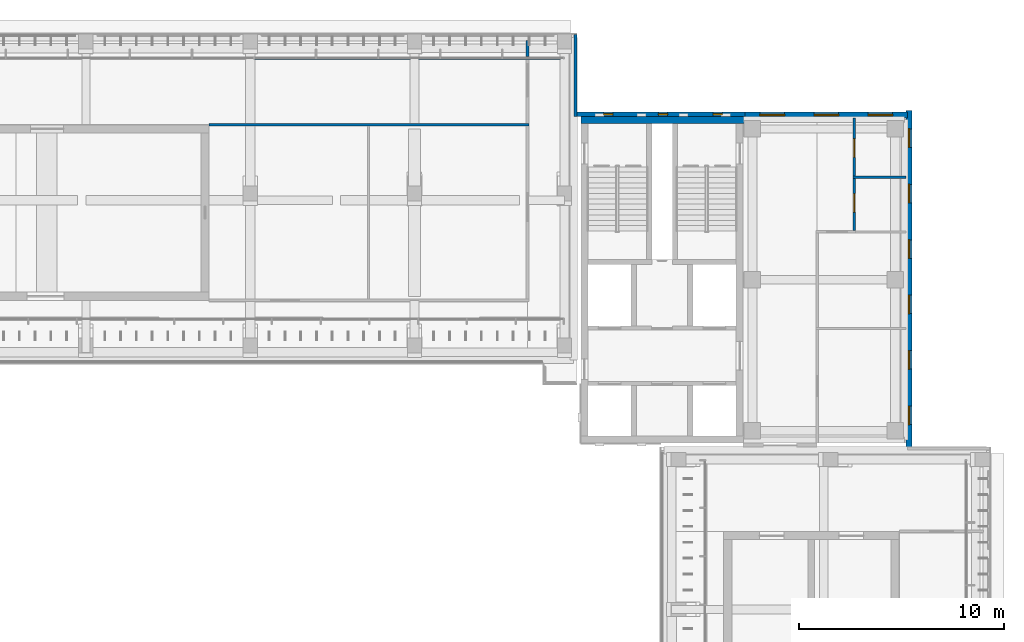
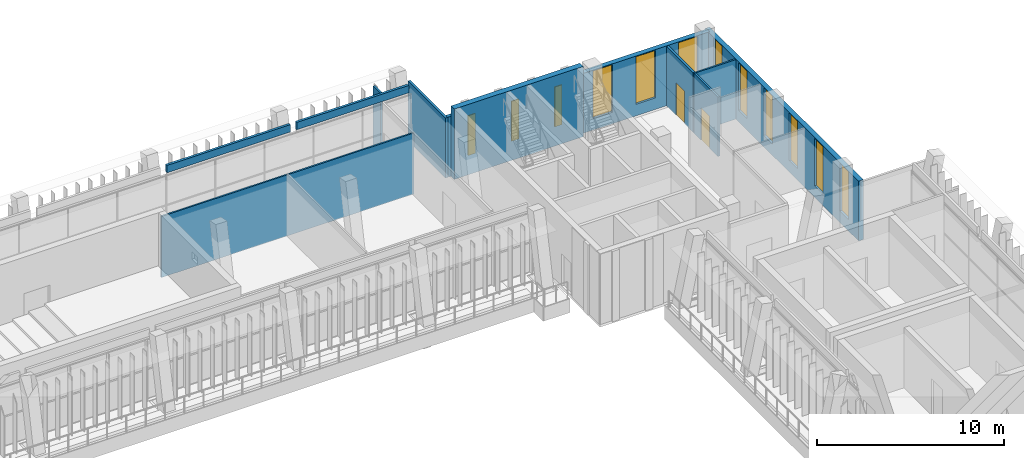
# One storey, part 51 of 74: 12 windows, 11 walls, 2 doors, 14 openings.
"""IFC4 building model written with IfcOpenShell, lengths in metres."""

from ifc_helpers import new_model, si_unit, direction, frame, frame_2d, origin, place, context, subcontext, project, spatial, rectangle, extrude, material, layer, layer_set, type_object, element, fill, save


model = new_model("IFC4")

# Units and contexts
model_context = context("Model", 3, precision=1e-05, world=origin(), true_north=direction((0.0, 1.0)))
body_context = subcontext(model_context, "Body", "Model", "MODEL_VIEW")
ifc_project = project(units=[si_unit("LENGTHUNIT", "METRE"), si_unit("AREAUNIT", "SQUARE_METRE"), si_unit("VOLUMEUNIT", "CUBIC_METRE"), si_unit("PLANEANGLEUNIT", "RADIAN"), si_unit("MASSUNIT", "GRAM", prefix="KILO")], contexts=[model_context])

# Site, building, storey
site_placement = place(None, origin())
site = spatial("IfcSite", under=ifc_project, at=site_placement, CompositionType="ELEMENT")
building_placement = place(site_placement, origin())
building = spatial("IfcBuilding", under=site, at=building_placement, Name="Lantern Court Media Centre", CompositionType="ELEMENT")
storey_placement = place(building_placement, frame((0.0, 0.0, 19.199951171875)))
storey = spatial("IfcBuildingStorey", under=building, at=storey_placement, Name="L04", CompositionType="ELEMENT", Elevation=19.199951171875)

# Wall
ifc_material_1 = material(Name="Gypsum board partition")
ifc_layer_1 = layer(ifc_material_1, 0.125)
ifc_layer_set_1 = layer_set([ifc_layer_1], Name="Gypsum board partition")
wall_type_1 = type_object("IfcWallType", Name="Corridor partition 125", PredefinedType="PARTITIONING", material=ifc_layer_set_1)
wall_1_placement = place(storey_placement, frame((77.5, 114.929931640625, 0.0), z_axis=(0.0, 0.0, 1.0), x_axis=(0.0, 1.0, 0.0)))
element("IfcWall", 1, at=wall_1_placement, inside=storey, type_object=wall_type_1, Name="L04 partition 004", PredefinedType="PARTITIONING", context=body_context, shape_type="SweptSolid", body=[
    extrude(rectangle(XDim=0.77001953125, YDim=0.125, at=frame_2d((0.385009765625, 0.0))), origin(), (0.0, 0.0, 1.0), 4.56005859375),
])

# Wall, openings, doors
wall_2_placement = place(storey_placement, frame((93.39990234375, 106.4482421875, 0.0), z_axis=(0.0, 0.0, 1.0), x_axis=(0.0, 1.0, 0.0)))
wall_2 = element("IfcWall", 2, at=wall_2_placement, inside=storey, type_object=wall_type_1, Name="L04 partition 054", PredefinedType="PARTITIONING", context=body_context, shape_type="SweptSolid", body=[
    extrude(rectangle(XDim=5.4716796875, YDim=0.125, at=frame_2d((2.73583984375, 0.0))), origin(), (0.0, 0.0, 1.0), 3.880126953125),
])
opening_1_placement = place(wall_2_placement, frame((3.55859375, 0.0, 0.0)))
opening_1 = element("IfcOpeningElement", 3, at=opening_1_placement, cuts=wall_2, Name="Opening L04-043", PredefinedType="OPENING", context=body_context, shape_type="SweptSolid", body=[
    extrude(rectangle(XDim=0.89990234375, YDim=2.10009765625, at=frame_2d((0.449951171875, 1.050048828125))), frame((0.0, 0.072509765625, 0.0), z_axis=(0.0, -1.0, 0.0), x_axis=(1.0, 0.0, 0.0)), (0.0, 0.0, 1.0), 0.14501953125),
])
opening_2_placement = place(wall_2_placement, frame((0.9013671875, 0.0, 0.0)))
opening_2 = element("IfcOpeningElement", 4, at=opening_2_placement, cuts=wall_2, Name="Opening L04-044", PredefinedType="OPENING", context=body_context, shape_type="SweptSolid", body=[
    extrude(rectangle(XDim=0.89990234375, YDim=2.10009765625, at=frame_2d((0.449951171875, 1.050048828125))), frame((0.0, 0.072509765625, 0.0), z_axis=(0.0, -1.0, 0.0), x_axis=(1.0, 0.0, 0.0)), (0.0, 0.0, 1.0), 0.14501953125),
])
ifc_material_2 = material(Name="Solid-core timber door leaf", Category="wood")
door_type = type_object("IfcDoorType", Name="Single door 900x2100", OperationType="NOTDEFINED", PredefinedType="DOOR", material=ifc_material_2)
door_1_placement = place(opening_1_placement, frame((0.89990234375, 0.0, 0.0), z_axis=(0.0, 0.0, 1.0), x_axis=(-1.0, 0.0, 0.0)))
door_1 = element("IfcDoor", 5, at=door_1_placement, inside=storey, type_object=door_type, Name="L04 WC Male door", OperationType="SINGLE_SWING_RIGHT", OverallHeight=2.10009765625, OverallWidth=0.89990234375, PredefinedType="DOOR", context=body_context, shape_type="SweptSolid", body=[
    extrude(rectangle(XDim=0.89990234375, YDim=2.10009765625, at=frame_2d((0.449951171875, 1.050048828125))), frame((0.0, 0.02490234375, 0.0), z_axis=(0.0, -1.0, 0.0), x_axis=(1.0, 0.0, 0.0)), (0.0, 0.0, 1.0), 0.050048828125),
])
fill(opening_1, door_1)
door_2_placement = place(opening_2_placement, frame((0.89990234375, 0.0, 0.0), z_axis=(0.0, 0.0, 1.0), x_axis=(-1.0, 0.0, 0.0)))
door_2 = element("IfcDoor", 6, at=door_2_placement, inside=storey, type_object=door_type, Name="L04 WC Female door", OperationType="SINGLE_SWING_LEFT", OverallHeight=2.10009765625, OverallWidth=0.89990234375, PredefinedType="DOOR", context=body_context, shape_type="SweptSolid", body=[
    extrude(rectangle(XDim=0.89990234375, YDim=2.10009765625, at=frame_2d((0.449951171875, 1.050048828125))), frame((0.0, 0.02490234375, 0.0), z_axis=(0.0, -1.0, 0.0), x_axis=(1.0, 0.0, 0.0)), (0.0, 0.0, 1.0), 0.050048828125),
])
fill(opening_2, door_2)

# Walls
ifc_material_3 = material(Name="Insulated rendered blockwork", Category="masonry")
ifc_layer_2 = layer(ifc_material_3, 0.14990234375)
ifc_layer_set_2 = layer_set([ifc_layer_2], Name="Insulated rendered blockwork")
wall_type_2 = type_object("IfcWallType", Name="Head infill wall 150", PredefinedType="SOLIDWALL", material=ifc_layer_set_2)
wall_3_placement = place(storey_placement, frame((64.199951171875, 114.85009765625, 4.10009765625), z_axis=(0.0, 0.0, 1.0), x_axis=(1.0, 0.0, 0.0)))
element("IfcWall", 7, at=wall_3_placement, inside=storey, type_object=wall_type_2, Name="Head infill wall N outer L04", PredefinedType="SOLIDWALL", context=body_context, shape_type="SweptSolid", body=[
    extrude(rectangle(XDim=7.60009765625, YDim=0.14990234375, at=frame_2d((3.800048828125, 0.0))), origin(), (0.0, 0.0, 1.0), 0.47998046875),
])
wall_4_placement = place(storey_placement, frame((72.199951171875, 114.85009765625, 4.10009765625), z_axis=(0.0, 0.0, 1.0), x_axis=(1.0, 0.0, 0.0)))
element("IfcWall", 8, at=wall_4_placement, inside=storey, type_object=wall_type_2, Name="Head infill wall N outer L04", PredefinedType="SOLIDWALL", context=body_context, shape_type="SweptSolid", body=[
    extrude(rectangle(XDim=6.900146484375, YDim=0.14990234375, at=frame_2d((3.4501953125, 0.0))), origin(), (0.0, 0.0, 1.0), 0.47998046875),
])

# Wall, openings, windows
ifc_material_4 = material(Name="Honed limestone cladding on blockwork", Category="masonry")
ifc_layer_3 = layer(ifc_material_4, 0.300048828125)
ifc_layer_set_3 = layer_set([ifc_layer_3], Name="Honed limestone cladding on blockwork")
wall_type_3 = type_object("IfcWallType", Name="Limestone block wall 300", PredefinedType="SOLIDWALL", material=ifc_layer_set_3)
wall_5_placement = place(storey_placement, frame((96.070068359375, 95.89990234375, 0.0), z_axis=(0.0, 0.0, 1.0), x_axis=(0.0, 1.0, 0.0)))
wall_5 = element("IfcWall", 9, at=wall_5_placement, inside=storey, type_object=wall_type_3, Name="Limestone wall NE E L04", PredefinedType="SOLIDWALL", context=body_context, shape_type="SweptSolid", body=[
    extrude(rectangle(XDim=16.400146484375, YDim=0.300048828125, at=frame_2d((8.2001953125, 0.0))), origin(), (0.0, 0.0, 1.0), 3.900146484375),
])
opening_3_placement = place(wall_5_placement, frame((1.10009765625, 0.0, 0.75)))
opening_3 = element("IfcOpeningElement", 10, at=opening_3_placement, cuts=wall_5, Name="Opening WN-N", PredefinedType="OPENING", context=body_context, shape_type="SweptSolid", body=[
    extrude(rectangle(XDim=0.89990234375, YDim=3.10009765625, at=frame_2d((0.449951171875, 1.550048828125))), frame((0.0, 0.159912109375, 0.0), z_axis=(0.0, -1.0, 0.0), x_axis=(1.0, 0.0, 0.0)), (0.0, 0.0, 1.0), 0.320068359375),
])
opening_4_placement = place(wall_5_placement, frame((3.800048828125, 0.0, 0.75)))
opening_4 = element("IfcOpeningElement", 11, at=opening_4_placement, cuts=wall_5, Name="Opening WN-N", PredefinedType="OPENING", context=body_context, shape_type="SweptSolid", body=[
    extrude(rectangle(XDim=0.89990234375, YDim=3.10009765625, at=frame_2d((0.449951171875, 1.550048828125))), frame((0.0, 0.159912109375, 0.0), z_axis=(0.0, -1.0, 0.0), x_axis=(1.0, 0.0, 0.0)), (0.0, 0.0, 1.0), 0.320068359375),
])
opening_5_placement = place(wall_5_placement, frame((6.5, 0.0, 0.75)))
opening_5 = element("IfcOpeningElement", 12, at=opening_5_placement, cuts=wall_5, Name="Opening WN-N", PredefinedType="OPENING", context=body_context, shape_type="SweptSolid", body=[
    extrude(rectangle(XDim=0.89990234375, YDim=3.10009765625, at=frame_2d((0.449951171875, 1.550048828125))), frame((0.0, 0.159912109375, 0.0), z_axis=(0.0, -1.0, 0.0), x_axis=(1.0, 0.0, 0.0)), (0.0, 0.0, 1.0), 0.320068359375),
])
opening_6_placement = place(wall_5_placement, frame((9.199951171875, 0.0, 0.75)))
opening_6 = element("IfcOpeningElement", 13, at=opening_6_placement, cuts=wall_5, Name="Opening WN-N", PredefinedType="OPENING", context=body_context, shape_type="SweptSolid", body=[
    extrude(rectangle(XDim=0.89990234375, YDim=3.10009765625, at=frame_2d((0.449951171875, 1.550048828125))), frame((0.0, 0.159912109375, 0.0), z_axis=(0.0, -1.0, 0.0), x_axis=(1.0, 0.0, 0.0)), (0.0, 0.0, 1.0), 0.320068359375),
])
opening_7_placement = place(wall_5_placement, frame((11.89990234375, 0.0, 0.75)))
opening_7 = element("IfcOpeningElement", 14, at=opening_7_placement, cuts=wall_5, Name="Opening WN-N", PredefinedType="OPENING", context=body_context, shape_type="SweptSolid", body=[
    extrude(rectangle(XDim=0.89990234375, YDim=3.10009765625, at=frame_2d((0.449951171875, 1.550048828125))), frame((0.0, 0.159912109375, 0.0), z_axis=(0.0, -1.0, 0.0), x_axis=(1.0, 0.0, 0.0)), (0.0, 0.0, 1.0), 0.320068359375),
])
opening_8_placement = place(wall_5_placement, frame((14.60009765625, 0.0, 0.75)))
opening_8 = element("IfcOpeningElement", 15, at=opening_8_placement, cuts=wall_5, Name="Opening WN-N", PredefinedType="OPENING", context=body_context, shape_type="SweptSolid", body=[
    extrude(rectangle(XDim=0.89990234375, YDim=3.10009765625, at=frame_2d((0.449951171875, 1.550048828125))), frame((0.0, 0.159912109375, 0.0), z_axis=(0.0, -1.0, 0.0), x_axis=(1.0, 0.0, 0.0)), (0.0, 0.0, 1.0), 0.320068359375),
])
ifc_material_5 = material(Name="Anodised aluminium and glass", Category="aluminium")
window_type_1 = type_object("IfcWindowType", Name="Pier window 900x3100", PartitioningType="SINGLE_PANEL", PredefinedType="WINDOW", material=ifc_material_5)
window_1_placement = place(opening_3_placement, origin())
window_1 = element("IfcWindow", 16, at=window_1_placement, inside=storey, type_object=window_type_1, Name="Window NE E L04", OverallHeight=3.10009765625, OverallWidth=0.89990234375, PartitioningType="SINGLE_PANEL", PredefinedType="WINDOW", context=body_context, shape_type="SweptSolid", body=[
    extrude(rectangle(XDim=0.89990234375, YDim=3.10009765625, at=frame_2d((0.449951171875, 1.550048828125))), frame((0.0, 0.030029296875, 0.0), z_axis=(0.0, -1.0, 0.0), x_axis=(1.0, 0.0, 0.0)), (0.0, 0.0, 1.0), 0.06005859375),
])
fill(opening_3, window_1)
window_2_placement = place(opening_4_placement, origin())
window_2 = element("IfcWindow", 17, at=window_2_placement, inside=storey, type_object=window_type_1, Name="Window NE E L04", OverallHeight=3.10009765625, OverallWidth=0.89990234375, PartitioningType="SINGLE_PANEL", PredefinedType="WINDOW", context=body_context, shape_type="SweptSolid", body=[
    extrude(rectangle(XDim=0.89990234375, YDim=3.10009765625, at=frame_2d((0.449951171875, 1.550048828125))), frame((0.0, 0.030029296875, 0.0), z_axis=(0.0, -1.0, 0.0), x_axis=(1.0, 0.0, 0.0)), (0.0, 0.0, 1.0), 0.06005859375),
])
fill(opening_4, window_2)
window_3_placement = place(opening_5_placement, origin())
window_3 = element("IfcWindow", 18, at=window_3_placement, inside=storey, type_object=window_type_1, Name="Window NE E L04", OverallHeight=3.10009765625, OverallWidth=0.89990234375, PartitioningType="SINGLE_PANEL", PredefinedType="WINDOW", context=body_context, shape_type="SweptSolid", body=[
    extrude(rectangle(XDim=0.89990234375, YDim=3.10009765625, at=frame_2d((0.449951171875, 1.550048828125))), frame((0.0, 0.030029296875, 0.0), z_axis=(0.0, -1.0, 0.0), x_axis=(1.0, 0.0, 0.0)), (0.0, 0.0, 1.0), 0.06005859375),
])
fill(opening_5, window_3)
window_4_placement = place(opening_6_placement, origin())
window_4 = element("IfcWindow", 19, at=window_4_placement, inside=storey, type_object=window_type_1, Name="Window NE E L04", OverallHeight=3.10009765625, OverallWidth=0.89990234375, PartitioningType="SINGLE_PANEL", PredefinedType="WINDOW", context=body_context, shape_type="SweptSolid", body=[
    extrude(rectangle(XDim=0.89990234375, YDim=3.10009765625, at=frame_2d((0.449951171875, 1.550048828125))), frame((0.0, 0.030029296875, 0.0), z_axis=(0.0, -1.0, 0.0), x_axis=(1.0, 0.0, 0.0)), (0.0, 0.0, 1.0), 0.06005859375),
])
fill(opening_6, window_4)
window_5_placement = place(opening_7_placement, origin())
window_5 = element("IfcWindow", 20, at=window_5_placement, inside=storey, type_object=window_type_1, Name="Window NE E L04", OverallHeight=3.10009765625, OverallWidth=0.89990234375, PartitioningType="SINGLE_PANEL", PredefinedType="WINDOW", context=body_context, shape_type="SweptSolid", body=[
    extrude(rectangle(XDim=0.89990234375, YDim=3.10009765625, at=frame_2d((0.449951171875, 1.550048828125))), frame((0.0, 0.030029296875, 0.0), z_axis=(0.0, -1.0, 0.0), x_axis=(1.0, 0.0, 0.0)), (0.0, 0.0, 1.0), 0.06005859375),
])
fill(opening_7, window_5)
window_6_placement = place(opening_8_placement, origin())
window_6 = element("IfcWindow", 21, at=window_6_placement, inside=storey, type_object=window_type_1, Name="Window NE E L04", OverallHeight=3.10009765625, OverallWidth=0.89990234375, PartitioningType="SINGLE_PANEL", PredefinedType="WINDOW", context=body_context, shape_type="SweptSolid", body=[
    extrude(rectangle(XDim=0.89990234375, YDim=3.10009765625, at=frame_2d((0.449951171875, 1.550048828125))), frame((0.0, 0.030029296875, 0.0), z_axis=(0.0, -1.0, 0.0), x_axis=(1.0, 0.0, 0.0)), (0.0, 0.0, 1.0), 0.06005859375),
])
fill(opening_8, window_6)

wall_6_placement = place(storey_placement, frame((88.10009765625, 112.070068359375, 0.0), z_axis=(0.0, 0.0, 1.0), x_axis=(1.0, 0.0, 0.0)))
wall_6 = element("IfcWall", 22, at=wall_6_placement, inside=storey, type_object=wall_type_3, Name="Limestone wall NE N L04", PredefinedType="SOLIDWALL", context=body_context, shape_type="SweptSolid", body=[
    extrude(rectangle(XDim=7.89990234375, YDim=0.300048828125, at=frame_2d((3.949951171875, 0.0))), origin(), (0.0, 0.0, 1.0), 3.900146484375),
])
opening_9_placement = place(wall_6_placement, frame((0.716552734375, 0.0, 0.75)))
opening_9 = element("IfcOpeningElement", 23, at=opening_9_placement, cuts=wall_6, Name="Opening WN-T", PredefinedType="OPENING", context=body_context, shape_type="SweptSolid", body=[
    extrude(rectangle(XDim=1.199951171875, YDim=3.10009765625, at=frame_2d((0.60009765625, 1.550048828125))), frame((0.0, 0.159912109375, 0.0), z_axis=(0.0, -1.0, 0.0), x_axis=(1.0, 0.0, 0.0)), (0.0, 0.0, 1.0), 0.320068359375),
])
opening_10_placement = place(wall_6_placement, frame((3.35009765625, 0.0, 0.75)))
opening_10 = element("IfcOpeningElement", 24, at=opening_10_placement, cuts=wall_6, Name="Opening WN-T", PredefinedType="OPENING", context=body_context, shape_type="SweptSolid", body=[
    extrude(rectangle(XDim=1.199951171875, YDim=3.10009765625, at=frame_2d((0.60009765625, 1.550048828125))), frame((0.0, 0.159912109375, 0.0), z_axis=(0.0, -1.0, 0.0), x_axis=(1.0, 0.0, 0.0)), (0.0, 0.0, 1.0), 0.320068359375),
])
opening_11_placement = place(wall_6_placement, frame((5.9833984375, 0.0, 0.75)))
opening_11 = element("IfcOpeningElement", 25, at=opening_11_placement, cuts=wall_6, Name="Opening WN-T", PredefinedType="OPENING", context=body_context, shape_type="SweptSolid", body=[
    extrude(rectangle(XDim=1.199951171875, YDim=3.10009765625, at=frame_2d((0.60009765625, 1.550048828125))), frame((0.0, 0.159912109375, 0.0), z_axis=(0.0, -1.0, 0.0), x_axis=(1.0, 0.0, 0.0)), (0.0, 0.0, 1.0), 0.320068359375),
])
window_type_2 = type_object("IfcWindowType", Name="Tall window 1200x3100", PartitioningType="SINGLE_PANEL", PredefinedType="WINDOW", material=ifc_material_5)
window_7_placement = place(opening_9_placement, origin())
window_7 = element("IfcWindow", 26, at=window_7_placement, inside=storey, type_object=window_type_2, Name="Window NE N L04", OverallHeight=3.10009765625, OverallWidth=1.199951171875, PartitioningType="SINGLE_PANEL", PredefinedType="WINDOW", context=body_context, shape_type="SweptSolid", body=[
    extrude(rectangle(XDim=1.199951171875, YDim=3.10009765625, at=frame_2d((0.60009765625, 1.550048828125))), frame((0.0, 0.030029296875, 0.0), z_axis=(0.0, -1.0, 0.0), x_axis=(1.0, 0.0, 0.0)), (0.0, 0.0, 1.0), 0.06005859375),
])
fill(opening_9, window_7)
window_8_placement = place(opening_10_placement, origin())
window_8 = element("IfcWindow", 27, at=window_8_placement, inside=storey, type_object=window_type_2, Name="Window NE N L04", OverallHeight=3.10009765625, OverallWidth=1.199951171875, PartitioningType="SINGLE_PANEL", PredefinedType="WINDOW", context=body_context, shape_type="SweptSolid", body=[
    extrude(rectangle(XDim=1.199951171875, YDim=3.10009765625, at=frame_2d((0.60009765625, 1.550048828125))), frame((0.0, 0.030029296875, 0.0), z_axis=(0.0, -1.0, 0.0), x_axis=(1.0, 0.0, 0.0)), (0.0, 0.0, 1.0), 0.06005859375),
])
fill(opening_10, window_8)
window_9_placement = place(opening_11_placement, origin())
window_9 = element("IfcWindow", 28, at=window_9_placement, inside=storey, type_object=window_type_2, Name="Window NE N L04", OverallHeight=3.10009765625, OverallWidth=1.199951171875, PartitioningType="SINGLE_PANEL", PredefinedType="WINDOW", context=body_context, shape_type="SweptSolid", body=[
    extrude(rectangle(XDim=1.199951171875, YDim=3.10009765625, at=frame_2d((0.60009765625, 1.550048828125))), frame((0.0, 0.030029296875, 0.0), z_axis=(0.0, -1.0, 0.0), x_axis=(1.0, 0.0, 0.0)), (0.0, 0.0, 1.0), 0.06005859375),
])
fill(opening_11, window_9)

# Wall
ifc_layer_4 = layer(ifc_material_4, 0.139892578125)
ifc_layer_set_4 = layer_set([ifc_layer_4], Name="Honed limestone cladding on blockwork")
wall_type_4 = type_object("IfcWallType", Name="Limestone closure wall 140", PredefinedType="SOLIDWALL", material=ifc_layer_set_4)
wall_7_placement = place(storey_placement, frame((79.830078125, 112.0, 0.0), z_axis=(0.0, 0.0, 1.0), x_axis=(0.0, 1.0, 0.0)))
element("IfcWall", 29, at=wall_7_placement, inside=storey, type_object=wall_type_4, Name="Limestone closure wall N-NE L04", PredefinedType="SOLIDWALL", context=body_context, shape_type="SweptSolid", body=[
    extrude(rectangle(XDim=4.0, YDim=0.139892578125, at=frame_2d((2.0, 0.0))), origin(), (0.0, 0.0, 1.0), 3.900146484375),
])

# Wall, openings, windows
ifc_material_6 = material(Name="Honed limestone cladding on blockwork, reduced to 220 where it passes the core wall", Category="masonry")
ifc_layer_5 = layer(ifc_material_6, 0.219970703125)
ifc_layer_set_5 = layer_set([ifc_layer_5], Name="Honed limestone cladding on blockwork, reduced to 220 where it passes the core wall")
wall_type_5 = type_object("IfcWallType", Name="Limestone skin wall 220", PredefinedType="SOLIDWALL", material=ifc_layer_set_5)
wall_8_placement = place(storey_placement, frame((79.89990234375, 112.110107421875, 0.0), z_axis=(0.0, 0.0, 1.0), x_axis=(1.0, 0.0, 0.0)))
wall_8 = element("IfcWall", 30, at=wall_8_placement, inside=storey, type_object=wall_type_5, Name="Limestone wall NE N L04", PredefinedType="SOLIDWALL", context=body_context, shape_type="SweptSolid", body=[
    extrude(rectangle(XDim=8.2001953125, YDim=0.219970703125, at=frame_2d((4.10009765625, 0.0))), origin(), (0.0, 0.0, 1.0), 3.900146484375),
])
opening_12_placement = place(wall_8_placement, frame((1.308349609375, 0.0, 0.89990234375)))
opening_12 = element("IfcOpeningElement", 31, at=opening_12_placement, cuts=wall_8, Name="Opening WN-S", PredefinedType="OPENING", context=body_context, shape_type="SweptSolid", body=[
    extrude(rectangle(XDim=0.449951171875, YDim=2.60009765625, at=frame_2d((0.22509765625, 1.300048828125))), frame((0.0, 0.119873046875, 0.0), z_axis=(0.0, -1.0, 0.0), x_axis=(1.0, 0.0, 0.0)), (0.0, 0.0, 1.0), 0.239990234375),
])
opening_13_placement = place(wall_8_placement, frame((3.97509765625, 0.0, 0.89990234375)))
opening_13 = element("IfcOpeningElement", 32, at=opening_13_placement, cuts=wall_8, Name="Opening WN-S", PredefinedType="OPENING", context=body_context, shape_type="SweptSolid", body=[
    extrude(rectangle(XDim=0.449951171875, YDim=2.60009765625, at=frame_2d((0.22509765625, 1.300048828125))), frame((0.0, 0.119873046875, 0.0), z_axis=(0.0, -1.0, 0.0), x_axis=(1.0, 0.0, 0.0)), (0.0, 0.0, 1.0), 0.239990234375),
])
opening_14_placement = place(wall_8_placement, frame((6.6416015625, 0.0, 0.89990234375)))
opening_14 = element("IfcOpeningElement", 33, at=opening_14_placement, cuts=wall_8, Name="Opening WN-S", PredefinedType="OPENING", context=body_context, shape_type="SweptSolid", body=[
    extrude(rectangle(XDim=0.449951171875, YDim=2.60009765625, at=frame_2d((0.22509765625, 1.300048828125))), frame((0.0, 0.119873046875, 0.0), z_axis=(0.0, -1.0, 0.0), x_axis=(1.0, 0.0, 0.0)), (0.0, 0.0, 1.0), 0.239990234375),
])
window_type_3 = type_object("IfcWindowType", Name="Stair slit window 450x2600", PartitioningType="SINGLE_PANEL", PredefinedType="WINDOW", material=ifc_material_5)
window_10_placement = place(opening_12_placement, origin())
window_10 = element("IfcWindow", 34, at=window_10_placement, inside=storey, type_object=window_type_3, Name="Window NE N L04", OverallHeight=2.60009765625, OverallWidth=0.449951171875, PartitioningType="SINGLE_PANEL", PredefinedType="WINDOW", context=body_context, shape_type="SweptSolid", body=[
    extrude(rectangle(XDim=0.449951171875, YDim=2.60009765625, at=frame_2d((0.22509765625, 1.300048828125))), frame((0.0, 0.030029296875, 0.0), z_axis=(0.0, -1.0, 0.0), x_axis=(1.0, 0.0, 0.0)), (0.0, 0.0, 1.0), 0.06005859375),
])
fill(opening_12, window_10)
window_11_placement = place(opening_13_placement, origin())
window_11 = element("IfcWindow", 35, at=window_11_placement, inside=storey, type_object=window_type_3, Name="Window NE N L04", OverallHeight=2.60009765625, OverallWidth=0.449951171875, PartitioningType="SINGLE_PANEL", PredefinedType="WINDOW", context=body_context, shape_type="SweptSolid", body=[
    extrude(rectangle(XDim=0.449951171875, YDim=2.60009765625, at=frame_2d((0.22509765625, 1.300048828125))), frame((0.0, 0.030029296875, 0.0), z_axis=(0.0, -1.0, 0.0), x_axis=(1.0, 0.0, 0.0)), (0.0, 0.0, 1.0), 0.06005859375),
])
fill(opening_13, window_11)
window_12_placement = place(opening_14_placement, origin())
window_12 = element("IfcWindow", 36, at=window_12_placement, inside=storey, type_object=window_type_3, Name="Window NE N L04", OverallHeight=2.60009765625, OverallWidth=0.449951171875, PartitioningType="SINGLE_PANEL", PredefinedType="WINDOW", context=body_context, shape_type="SweptSolid", body=[
    extrude(rectangle(XDim=0.449951171875, YDim=2.60009765625, at=frame_2d((0.22509765625, 1.300048828125))), frame((0.0, 0.030029296875, 0.0), z_axis=(0.0, -1.0, 0.0), x_axis=(1.0, 0.0, 0.0)), (0.0, 0.0, 1.0), 0.06005859375),
])
fill(opening_14, window_12)

# Walls
ifc_layer_6 = layer(ifc_material_1, 0.10009765625)
ifc_layer_set_6 = layer_set([ifc_layer_6], Name="Gypsum board partition")
wall_type_6 = type_object("IfcWallType", Name="Partition 100", PredefinedType="PARTITIONING", material=ifc_layer_set_6)
wall_9_placement = place(storey_placement, frame((62.0, 111.60009765625, 0.0), z_axis=(0.0, 0.0, 1.0), x_axis=(1.0, 0.0, 0.0)))
element("IfcWall", 37, at=wall_9_placement, inside=storey, type_object=wall_type_6, Name="L04 partition 017", PredefinedType="PARTITIONING", context=body_context, shape_type="SweptSolid", body=[
    extrude(rectangle(XDim=15.5625, YDim=0.10009765625, at=frame_2d((7.78125, 0.0))), origin(), (0.0, 0.0, 1.0), 3.97998046875),
])
wall_10_placement = place(storey_placement, frame((93.33740234375, 109.04296875, 0.0), z_axis=(0.0, 0.0, 1.0), x_axis=(1.0, 0.0, 0.0)))
element("IfcWall", 38, at=wall_10_placement, inside=storey, type_object=wall_type_6, Name="L04 partition 063", PredefinedType="PARTITIONING", context=body_context, shape_type="SweptSolid", body=[
    extrude(rectangle(XDim=2.58251953125, YDim=0.10009765625, at=frame_2d((1.291259765625, 0.0))), origin(), (0.0, 0.0, 1.0), 3.880126953125),
])
ifc_material_7 = material(Name="Concrete C40", Category="concrete")
ifc_layer_7 = layer(ifc_material_7, 0.35009765625)
ifc_layer_set_7 = layer_set([ifc_layer_7], Name="Concrete C40")
wall_type_7 = type_object("IfcWallType", Name="RC CORE WALL 350", PredefinedType="SHEAR", material=ifc_layer_set_7)
wall_11_placement = place(storey_placement, frame((80.10009765625, 111.824951171875, 0.0), z_axis=(0.0, 0.0, 1.0), x_axis=(1.0, 0.0, 0.0)))
element("IfcWall", 39, at=wall_11_placement, inside=storey, type_object=wall_type_7, Name="WC-NE-L04-N", PredefinedType="SHEAR", context=body_context, shape_type="SweptSolid", body=[
    extrude(rectangle(XDim=7.949951171875, YDim=0.35009765625, at=frame_2d((3.97509765625, 0.0))), origin(), (0.0, 0.0, 1.0), 4.580078125),
])

save(model, "model.ifc")
